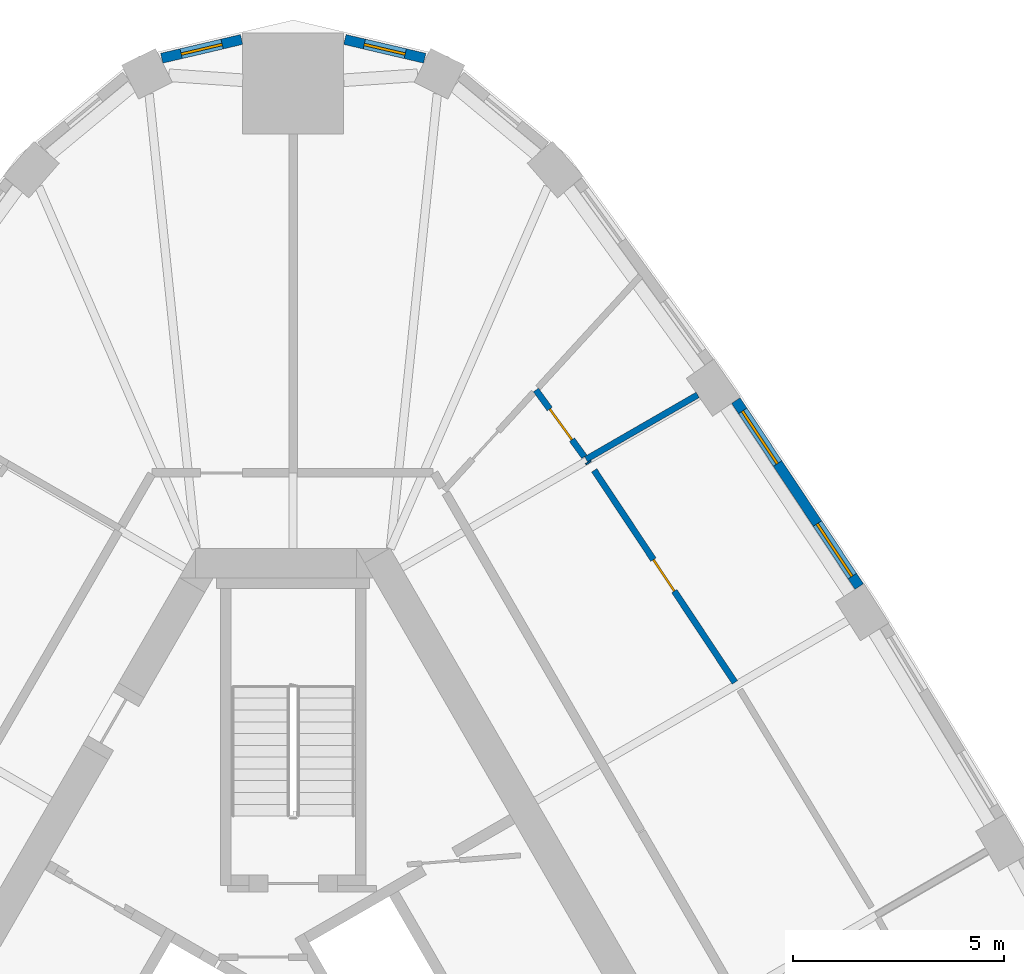
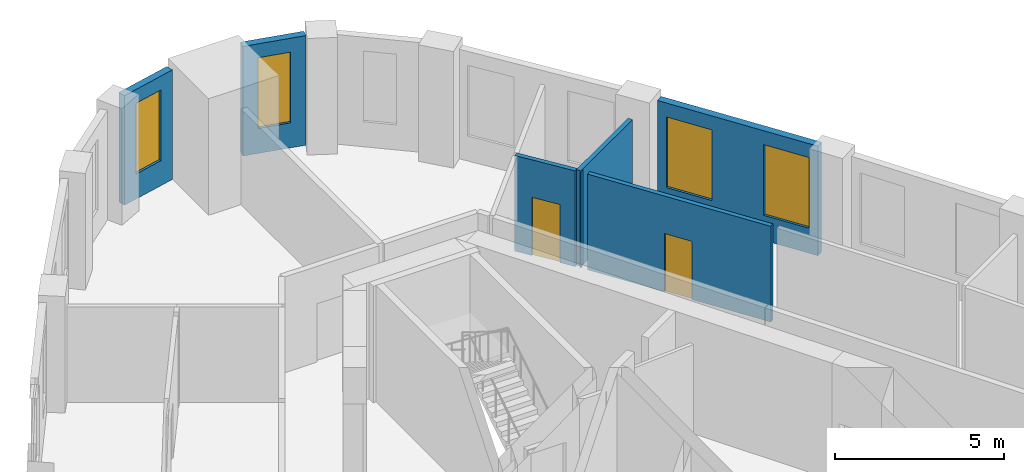
# One storey, part 9 of 11: 7 walls, 4 windows, 2 doors, 6 openings.
"""IFC4 building model written with IfcOpenShell, lengths in metres."""

from ifc_helpers import new_model, si_unit, direction, frame, frame_2d, origin, place, context, subcontext, project, spatial, rectangle, extrude, material, layer, layer_set, type_object, element, fill, save


model = new_model("IFC4")

# Units and contexts
model_context = context("Model", 3, precision=1e-05, world=origin(), true_north=direction((0.0, 1.0)))
body_context = subcontext(model_context, "Body", "Model", "MODEL_VIEW")
ifc_project = project(units=[si_unit("LENGTHUNIT", "METRE"), si_unit("AREAUNIT", "SQUARE_METRE"), si_unit("VOLUMEUNIT", "CUBIC_METRE"), si_unit("PLANEANGLEUNIT", "RADIAN"), si_unit("MASSUNIT", "GRAM", prefix="KILO")], contexts=[model_context])

# Site, building, storey
site_placement = place(None, origin())
site = spatial("IfcSite", under=ifc_project, at=site_placement, CompositionType="ELEMENT")
building_placement = place(site_placement, origin())
building = spatial("IfcBuilding", under=site, at=building_placement, Name="Mestral Congress Tower", CompositionType="ELEMENT")
storey_placement = place(building_placement, frame((0.0, 0.0, 205.800048828125)))
storey = spatial("IfcBuildingStorey", under=building, at=storey_placement, Name="L48", CompositionType="ELEMENT", Elevation=205.800048828125)

# Wall, openings, windows
ifc_material_1 = material(Name="Precast concrete C40/50 with limestone facing", Category="masonry")
ifc_layer_1 = layer(ifc_material_1, 0.239990234375)
ifc_layer_set_1 = layer_set([ifc_layer_1], Name="Precast concrete C40/50 with limestone facing")
wall_type_1 = type_object("IfcWallType", Name="Facade stone wall 240", PredefinedType="SOLIDWALL", material=ifc_layer_set_1)
wall_1_placement = place(storey_placement, frame((13.442138671875, 15.803466796875, 0.0), z_axis=(0.0, 0.0, 1.0), x_axis=(-0.552901821755, 0.833246407433, 0.0)))
wall_1 = element("IfcWall", 1, at=wall_1_placement, inside=storey, type_object=wall_type_1, Name="Facade wall F1-04", PredefinedType="SOLIDWALL", context=body_context, shape_type="SweptSolid", body=[
    extrude(rectangle(XDim=5.29833984375, YDim=0.239990234375, at=frame_2d((2.649169921875, 0.0))), origin(), (0.0, 0.0, 1.0), 3.949951171875),
])
opening_1_placement = place(wall_1_placement, frame((0.294677734375, 0.0, 0.89990234375)))
opening_1 = element("IfcOpeningElement", 2, at=opening_1_placement, cuts=wall_1, Name="Opening W4", PredefinedType="OPENING", context=body_context, shape_type="SweptSolid", body=[
    extrude(rectangle(XDim=1.5, YDim=2.550048828125, at=frame_2d((0.75, 1.27490234375))), frame((0.0, 0.1298828125, 0.0), z_axis=(0.0, -1.0, 0.0), x_axis=(1.0, 0.0, 0.0)), (0.0, 0.0, 1.0), 0.260009765625),
])
opening_2_placement = place(wall_1_placement, frame((3.50390625, 0.0, 0.89990234375)))
opening_2 = element("IfcOpeningElement", 3, at=opening_2_placement, cuts=wall_1, Name="Opening W4", PredefinedType="OPENING", context=body_context, shape_type="SweptSolid", body=[
    extrude(rectangle(XDim=1.5, YDim=2.550048828125, at=frame_2d((0.75, 1.27490234375))), frame((0.0, 0.1298828125, 0.0), z_axis=(0.0, -1.0, 0.0), x_axis=(1.0, 0.0, 0.0)), (0.0, 0.0, 1.0), 0.260009765625),
])
ifc_material_2 = material(Name="Clear low-emissivity double glazing", Category="glass")
window_type_1 = type_object("IfcWindowType", Name="Facade punched window 1500 x 2550 sill 900", PartitioningType="SINGLE_PANEL", PredefinedType="WINDOW", material=ifc_material_2)
window_1_placement = place(opening_1_placement, origin())
window_1 = element("IfcWindow", 4, at=window_1_placement, inside=storey, type_object=window_type_1, Name="Window F1-04a", OverallHeight=2.550048828125, OverallWidth=1.5, PartitioningType="SINGLE_PANEL", PredefinedType="WINDOW", context=body_context, shape_type="SweptSolid", body=[
    extrude(rectangle(XDim=1.5, YDim=2.550048828125, at=frame_2d((0.75, 1.27490234375))), frame((0.0, 0.0400390625, 0.0), z_axis=(0.0, -1.0, 0.0), x_axis=(1.0, 0.0, 0.0)), (0.0, 0.0, 1.0), 0.06005859375),
])
fill(opening_1, window_1)
window_2_placement = place(opening_2_placement, origin())
window_2 = element("IfcWindow", 5, at=window_2_placement, inside=storey, type_object=window_type_1, Name="Window F1-04b", OverallHeight=2.550048828125, OverallWidth=1.5, PartitioningType="SINGLE_PANEL", PredefinedType="WINDOW", context=body_context, shape_type="SweptSolid", body=[
    extrude(rectangle(XDim=1.5, YDim=2.550048828125, at=frame_2d((0.75, 1.27490234375))), frame((0.0, 0.0400390625, 0.0), z_axis=(0.0, -1.0, 0.0), x_axis=(1.0, 0.0, 0.0)), (0.0, 0.0, 1.0), 0.06005859375),
])
fill(opening_2, window_2)

# Wall, opening, window
wall_2_placement = place(storey_placement, frame((3.123046875, 28.3486328125, 0.0), z_axis=(0.0, 0.0, 1.0), x_axis=(-0.973515706272, 0.228620142686, 0.0)))
wall_2 = element("IfcWall", 6, at=wall_2_placement, inside=storey, type_object=wall_type_1, Name="Facade wall K1-1", PredefinedType="SOLIDWALL", context=body_context, shape_type="SweptSolid", body=[
    extrude(rectangle(XDim=1.94775390625, YDim=0.239990234375, at=frame_2d((0.973876953125, 0.0))), origin(), (0.0, 0.0, 1.0), 3.949951171875),
])
opening_3_placement = place(wall_2_placement, frame((0.47412109375, 0.0, 0.89990234375)))
opening_3 = element("IfcOpeningElement", 7, at=opening_3_placement, cuts=wall_2, Name="Opening W5", PredefinedType="OPENING", context=body_context, shape_type="SweptSolid", body=[
    extrude(rectangle(XDim=1.0, YDim=2.550048828125, at=frame_2d((0.5, 1.27490234375))), frame((0.0, 0.1298828125, 0.0), z_axis=(0.0, -1.0, 0.0), x_axis=(1.0, 0.0, 0.0)), (0.0, 0.0, 1.0), 0.260009765625),
])
window_type_2 = type_object("IfcWindowType", Name="Facade punched window 1000 x 2550 sill 900", PartitioningType="SINGLE_PANEL", PredefinedType="WINDOW", material=ifc_material_2)
window_3_placement = place(opening_3_placement, origin())
window_3 = element("IfcWindow", 8, at=window_3_placement, inside=storey, type_object=window_type_2, Name="Window K1-1", OverallHeight=2.550048828125, OverallWidth=1.0, PartitioningType="SINGLE_PANEL", PredefinedType="WINDOW", context=body_context, shape_type="SweptSolid", body=[
    extrude(rectangle(XDim=1.0, YDim=2.550048828125, at=frame_2d((0.5, 1.27490234375))), frame((0.0, 0.0400390625, 0.0), z_axis=(0.0, -1.0, 0.0), x_axis=(1.0, 0.0, 0.0)), (0.0, 0.0, 1.0), 0.06005859375),
])
fill(opening_3, window_3)

wall_3_placement = place(storey_placement, frame((-1.226806640625, 28.7939453125, 0.0), z_axis=(0.0, 0.0, 1.0), x_axis=(-0.973515706272, -0.228620142686, 0.0)))
wall_3 = element("IfcWall", 9, at=wall_3_placement, inside=storey, type_object=wall_type_1, Name="Facade wall K1-2", PredefinedType="SOLIDWALL", context=body_context, shape_type="SweptSolid", body=[
    extrude(rectangle(XDim=1.94775390625, YDim=0.239990234375, at=frame_2d((0.973876953125, 0.0))), origin(), (0.0, 0.0, 1.0), 3.949951171875),
])
opening_4_placement = place(wall_3_placement, frame((0.47412109375, 0.0, 0.89990234375)))
opening_4 = element("IfcOpeningElement", 10, at=opening_4_placement, cuts=wall_3, Name="Opening W5", PredefinedType="OPENING", context=body_context, shape_type="SweptSolid", body=[
    extrude(rectangle(XDim=1.0, YDim=2.550048828125, at=frame_2d((0.5, 1.27490234375))), frame((0.0, 0.1298828125, 0.0), z_axis=(0.0, -1.0, 0.0), x_axis=(1.0, 0.0, 0.0)), (0.0, 0.0, 1.0), 0.260009765625),
])
window_4_placement = place(opening_4_placement, origin())
window_4 = element("IfcWindow", 11, at=window_4_placement, inside=storey, type_object=window_type_2, Name="Window K1-2", OverallHeight=2.550048828125, OverallWidth=1.0, PartitioningType="SINGLE_PANEL", PredefinedType="WINDOW", context=body_context, shape_type="SweptSolid", body=[
    extrude(rectangle(XDim=1.0, YDim=2.550048828125, at=frame_2d((0.5, 1.27490234375))), frame((0.0, 0.0400390625, 0.0), z_axis=(0.0, -1.0, 0.0), x_axis=(1.0, 0.0, 0.0)), (0.0, 0.0, 1.0), 0.06005859375),
])
fill(opening_4, window_4)

# Wall
ifc_material_3 = material(Name="Plasterboard partition on steel studs", Category="steel")
ifc_layer_2 = layer(ifc_material_3, 0.14990234375)
ifc_layer_set_2 = layer_set([ifc_layer_2], Name="Plasterboard partition on steel studs")
wall_type_2 = type_object("IfcWallType", Name="Office partition 150", PredefinedType="PARTITIONING", material=ifc_layer_set_2)
wall_4_placement = place(storey_placement, frame((6.957763671875, 18.8232421875, 0.0), z_axis=(0.0, 0.0, 1.0), x_axis=(0.866008752819, 0.500028839209, 0.0)))
element("IfcWall", 12, at=wall_4_placement, inside=storey, type_object=wall_type_2, Name="Partition", PredefinedType="PARTITIONING", context=body_context, shape_type="SweptSolid", body=[
    extrude(rectangle(XDim=3.057861328125, YDim=0.14990234375, at=frame_2d((1.52880859375, 0.0))), origin(), (0.0, 0.0, 1.0), 3.449951171875),
])

# Wall, opening, door
wall_5_placement = place(storey_placement, frame((7.148193359375, 18.560791015625, 0.0), z_axis=(0.0, 0.0, 1.0), x_axis=(0.552890023891, -0.833254235802, 0.0)))
wall_5 = element("IfcWall", 13, at=wall_5_placement, inside=storey, type_object=wall_type_2, Name="Partition", PredefinedType="PARTITIONING", context=body_context, shape_type="SweptSolid", body=[
    extrude(rectangle(XDim=6.04248046875, YDim=0.14990234375, at=frame_2d((3.021240234375, 0.0))), origin(), (0.0, 0.0, 1.0), 3.449951171875),
])
opening_5_placement = place(wall_5_placement, frame((2.54248046875, 0.0, 0.0)))
opening_5 = element("IfcOpeningElement", 14, at=opening_5_placement, cuts=wall_5, Name="Opening O06-007", PredefinedType="OPENING", context=body_context, shape_type="SweptSolid", body=[
    extrude(rectangle(XDim=0.89990234375, YDim=2.10009765625, at=frame_2d((0.449951171875, 1.050048828125))), frame((0.0, 0.0849609375, 0.0), z_axis=(0.0, -1.0, 0.0), x_axis=(1.0, 0.0, 0.0)), (0.0, 0.0, 1.0), 0.169921875),
])
ifc_material_4 = material(Name="Timber door set", Category="wood")
door_type = type_object("IfcDoorType", Name="Office door 900x2100", OperationType="SINGLE_SWING_LEFT", PredefinedType="DOOR", material=ifc_material_4)
door_1_placement = place(opening_5_placement, origin())
door_1 = element("IfcDoor", 15, at=door_1_placement, inside=storey, type_object=door_type, Name="Door O06-007", OperationType="SINGLE_SWING_LEFT", OverallHeight=2.10009765625, OverallWidth=0.89990234375, PredefinedType="DOOR", context=body_context, shape_type="SweptSolid", body=[
    extrude(rectangle(XDim=0.89990234375, YDim=2.10009765625, at=frame_2d((0.449951171875, 1.050048828125))), frame((0.0, 0.02490234375, 0.0), z_axis=(0.0, -1.0, 0.0), x_axis=(1.0, 0.0, 0.0)), (0.0, 0.0, 1.0), 0.050048828125),
])
fill(opening_5, door_1)

# Wall
wall_6_placement = place(storey_placement, frame((7.022216796875, 18.734130859375, 0.0), z_axis=(0.0, 0.0, 1.0), x_axis=(-0.585233084123, 0.810865116556, 0.0)))
element("IfcWall", 16, at=wall_6_placement, inside=storey, type_object=wall_type_2, Name="Partition", PredefinedType="PARTITIONING", context=body_context, shape_type="SweptSolid", body=[
    extrude(rectangle(XDim=0.03466796875, YDim=0.14990234375, at=frame_2d((0.017333984375, 0.0))), origin(), (0.0, 0.0, 1.0), 3.449951171875),
])

# Wall, opening, door
wall_7_placement = place(storey_placement, frame((5.764404296875, 20.46923828125, 0.0), z_axis=(0.0, 0.0, 1.0), x_axis=(0.586969615341, -0.809608961577, 0.0)))
wall_7 = element("IfcWall", 17, at=wall_7_placement, inside=storey, type_object=wall_type_2, Name="Partition", PredefinedType="PARTITIONING", context=body_context, shape_type="SweptSolid", body=[
    extrude(rectangle(XDim=1.957275390625, YDim=0.14990234375, at=frame_2d((0.978515625, 0.0))), origin(), (0.0, 0.0, 1.0), 3.449951171875),
])
opening_6_placement = place(wall_7_placement, frame((0.5576171875, 0.0, 0.0)))
opening_6 = element("IfcOpeningElement", 18, at=opening_6_placement, cuts=wall_7, Name="Opening O06-008", PredefinedType="OPENING", context=body_context, shape_type="SweptSolid", body=[
    extrude(rectangle(XDim=0.89990234375, YDim=2.10009765625, at=frame_2d((0.449951171875, 1.050048828125))), frame((0.0, 0.0849609375, 0.0), z_axis=(0.0, -1.0, 0.0), x_axis=(1.0, 0.0, 0.0)), (0.0, 0.0, 1.0), 0.169921875),
])
door_2_placement = place(opening_6_placement, origin())
door_2 = element("IfcDoor", 19, at=door_2_placement, inside=storey, type_object=door_type, Name="Door O06-008", OperationType="SINGLE_SWING_RIGHT", OverallHeight=2.10009765625, OverallWidth=0.89990234375, PredefinedType="DOOR", context=body_context, shape_type="SweptSolid", body=[
    extrude(rectangle(XDim=0.89990234375, YDim=2.10009765625, at=frame_2d((0.449951171875, 1.050048828125))), frame((0.0, 0.02490234375, 0.0), z_axis=(0.0, -1.0, 0.0), x_axis=(1.0, 0.0, 0.0)), (0.0, 0.0, 1.0), 0.050048828125),
])
fill(opening_6, door_2)

save(model, "model.ifc")
